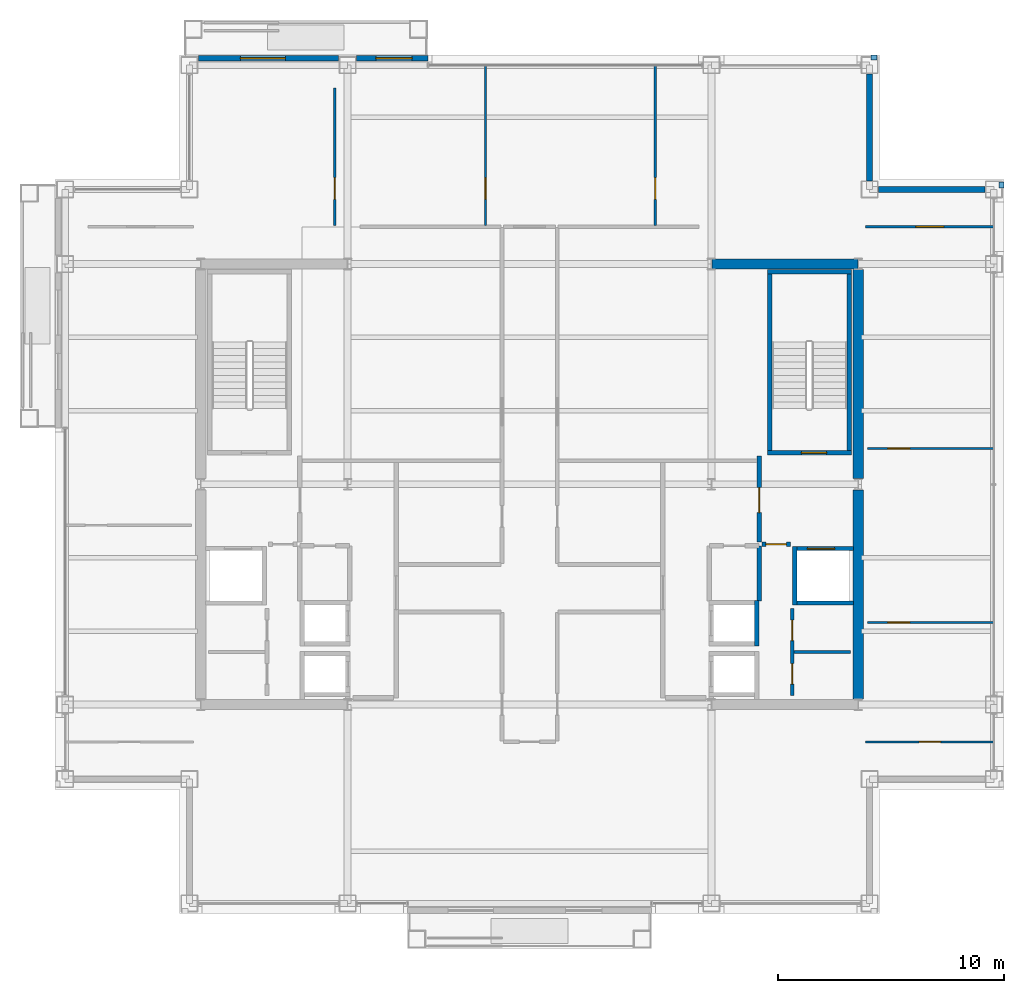
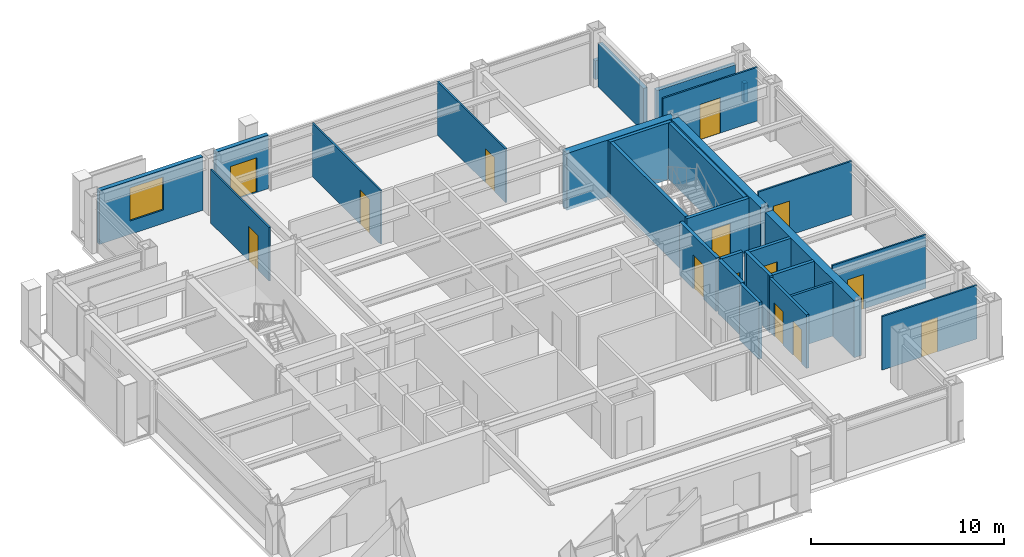
# One storey, part 25 of 28: 29 walls, 14 doors, 1 window, 15 openings.
"""IFC4 building model written with IfcOpenShell, lengths in metres."""

from ifc_helpers import new_model, si_unit, direction, frame, frame_2d, origin, place, context, subcontext, project, spatial, rectangle, extrude, material, layer, layer_set, type_object, element, fill, save


model = new_model("IFC4")

# Units and contexts
model_context = context("Model", 3, precision=1e-05, world=origin(), true_north=direction((0.0, 1.0)))
body_context = subcontext(model_context, "Body", "Model", "MODEL_VIEW")
ifc_project = project(units=[si_unit("LENGTHUNIT", "METRE"), si_unit("AREAUNIT", "SQUARE_METRE"), si_unit("VOLUMEUNIT", "CUBIC_METRE"), si_unit("PLANEANGLEUNIT", "RADIAN"), si_unit("MASSUNIT", "GRAM", prefix="KILO")], contexts=[model_context])

# Site, building, storey
site_placement = place(None, origin())
site = spatial("IfcSite", under=ifc_project, at=site_placement, CompositionType="ELEMENT")
building_placement = place(site_placement, origin())
building = spatial("IfcBuilding", under=site, at=building_placement, Name="Brelmoor Portico Tower", CompositionType="ELEMENT")
storey_placement = place(building_placement, frame((0.0, 0.0, 165.89990234375)))
storey = spatial("IfcBuildingStorey", under=building, at=storey_placement, Name="L43", CompositionType="ELEMENT", Elevation=165.89990234375)

# Walls
ifc_material_1 = material(Name="Concrete C50", Category="concrete")
ifc_layer_1 = layer(ifc_material_1, 0.449951171875)
ifc_layer_set_1 = layer_set([ifc_layer_1], Name="Concrete C50")
wall_type_1 = type_object("IfcWallType", Name="WL-CORE-450", PredefinedType="SHEAR", material=ifc_layer_set_1)
wall_1_placement = place(storey_placement, frame((8.070068359375, 9.75, -0.199951171875), z_axis=(0.0, 0.0, 1.0), x_axis=(1.0, 0.0, 0.0)))
element("IfcWall", 1, at=wall_1_placement, inside=storey, type_object=wall_type_1, Name="L43 EC North Shear Wall", PredefinedType="SHEAR", context=body_context, shape_type="SweptSolid", body=[
    extrude(rectangle(XDim=6.4599609375, YDim=0.449951171875, at=frame_2d((3.22998046875, 0.0))), origin(), (0.0, 0.0, 1.0), 3.60009765625),
])
for number, where, z_axis, x_axis, name in (
    (2, (14.550048828125, -9.5, -0.199951171875), (0.0, 0.0, 1.0), (0.0, 1.0, 0.0), "L43 EC Outer South Shear Wall"),
    (3, (14.550048828125, 0.25, -0.199951171875), (0.0, 0.0, 1.0), (0.0, 1.0, 0.0), "L43 EC Outer North Shear Wall"),
):
    element("IfcWall", number, at=place(storey_placement, frame(where, z_axis=z_axis, x_axis=x_axis)), inside=storey, type_object=wall_type_1, Name=name, PredefinedType="SHEAR", context=body_context, shape_type="SweptSolid", body=[
        extrude(rectangle(XDim=9.25, YDim=0.449951171875, at=frame_2d((4.625, 0.0))), origin(), (0.0, 0.0, 1.0), 3.60009765625),
    ])

# Wall, opening, window
ifc_material_2 = material(Name="Precast Concrete C40 Insulated Facade Wall", Category="concrete")
ifc_layer_2 = layer(ifc_material_2, 0.25)
ifc_layer_set_2 = layer_set([ifc_layer_2], Name="Precast Concrete C40 Insulated Facade Wall")
wall_type_2 = type_object("IfcWallType", Name="WL-EXT-250", PredefinedType="STANDARD", material=ifc_layer_set_2)
wall_2_placement = place(storey_placement, frame((-14.655029296875, 18.860107421875, 0.0), z_axis=(0.0, 0.0, 1.0), x_axis=(1.0, 0.0, 0.0)))
wall_2 = element("IfcWall", 4, at=wall_2_placement, inside=storey, type_object=wall_type_2, Name="L43 Loggia Threshold Wall N-1", PredefinedType="STANDARD", context=body_context, shape_type="SweptSolid", body=[
    extrude(rectangle(XDim=6.2099609375, YDim=0.25, at=frame_2d((3.10498046875, 0.0))), origin(), (0.0, 0.0, 1.0), 3.400146484375),
])
opening_1_placement = place(wall_2_placement, frame((1.85498046875, 0.0, 0.85009765625)))
opening_1 = element("IfcOpeningElement", 5, at=opening_1_placement, cuts=wall_2, Name="Opening W-03", PredefinedType="OPENING", context=body_context, shape_type="SweptSolid", body=[
    extrude(rectangle(XDim=2.0, YDim=2.10009765625, at=frame_2d((1.0, 1.050048828125))), frame((0.0, 0.135009765625, 0.0), z_axis=(0.0, -1.0, 0.0), x_axis=(1.0, 0.0, 0.0)), (0.0, 0.0, 1.0), 0.27001953125),
])
ifc_material_3 = material(Name="Thermally Broken Aluminium Low-E Window", Category="aluminium")
window_type = type_object("IfcWindowType", Name="WN-LOGGIA-2000x2100", PartitioningType="SINGLE_PANEL", PredefinedType="WINDOW", material=ifc_material_3)
window_placement = place(opening_1_placement, origin())
window = element("IfcWindow", 6, at=window_placement, inside=storey, type_object=window_type, Name="L43 Loggia Window N", OverallHeight=2.10009765625, OverallWidth=2.0, PartitioningType="SINGLE_PANEL", PredefinedType="WINDOW", context=body_context, shape_type="SweptSolid", body=[
    extrude(rectangle(XDim=2.0, YDim=2.10009765625, at=frame_2d((1.0, 1.050048828125))), frame((0.0, 0.030029296875, 0.0), z_axis=(0.0, -1.0, 0.0), x_axis=(1.0, 0.0, 0.0)), (0.0, 0.0, 1.0), 0.06005859375),
])
fill(opening_1, window)

# Wall, opening, door
wall_3_placement = place(storey_placement, frame((-7.655029296875, 18.860107421875, 0.0), z_axis=(0.0, 0.0, 1.0), x_axis=(1.0, 0.0, 0.0)))
wall_3 = element("IfcWall", 7, at=wall_3_placement, inside=storey, type_object=wall_type_2, Name="L43 Loggia Threshold Wall N-2", PredefinedType="STANDARD", context=body_context, shape_type="SweptSolid", body=[
    extrude(rectangle(XDim=3.155029296875, YDim=0.25, at=frame_2d((1.57763671875, 0.0))), origin(), (0.0, 0.0, 1.0), 3.400146484375),
])
opening_2_placement = place(wall_3_placement, frame((0.85498046875, 0.0, 0.0)))
opening_2 = element("IfcOpeningElement", 8, at=opening_2_placement, cuts=wall_3, Name="Opening D-TB1", PredefinedType="OPENING", context=body_context, shape_type="SweptSolid", body=[
    extrude(rectangle(XDim=1.60009765625, YDim=2.199951171875, at=frame_2d((0.800048828125, 1.10009765625))), frame((0.0, 0.135009765625, 0.0), z_axis=(0.0, -1.0, 0.0), x_axis=(1.0, 0.0, 0.0)), (0.0, 0.0, 1.0), 0.27001953125),
])
ifc_material_4 = material(Name="Double-Leaf Thermally Broken Terrace Door", Category="aluminium")
door_type_1 = type_object("IfcDoorType", Name="DR-BALCONY-1600", OperationType="NOTDEFINED", PredefinedType="DOOR", material=ifc_material_4)
door_1_placement = place(opening_2_placement, origin())
door_1 = element("IfcDoor", 9, at=door_1_placement, inside=storey, type_object=door_type_1, Name="D-1850 L43 Tree Balcony Double Door N", OperationType="DOUBLE_DOOR_SINGLE_SWING", OverallHeight=2.199951171875, OverallWidth=1.60009765625, PredefinedType="DOOR", context=body_context, shape_type="SweptSolid", body=[
    extrude(rectangle(XDim=1.60009765625, YDim=2.199951171875, at=frame_2d((0.800048828125, 1.10009765625))), frame((0.0, 0.02490234375, 0.0), z_axis=(0.0, -1.0, 0.0), x_axis=(1.0, 0.0, 0.0)), (0.0, 0.0, 1.0), 0.050048828125),
])
fill(opening_2, door_1)

# Walls
for number, where, z_axis, x_axis, name in (
    (10, (15.43505859375, 13.050048828125, 0.0), (0.0, 0.0, 1.0), (1.0, 0.0, 0.0), "L43 Corner Notch Facade Wall NNEH1"),
    (11, (15.050048828125, 13.43505859375, 0.0), (0.0, 0.0, 1.0), (0.0, 1.0, 0.0), "L43 Corner Notch Facade Wall NNEV1"),
):
    element("IfcWall", number, at=place(storey_placement, frame(where, z_axis=z_axis, x_axis=x_axis)), inside=storey, type_object=wall_type_2, Name=name, PredefinedType="STANDARD", context=body_context, shape_type="SweptSolid", body=[
        extrude(rectangle(XDim=4.72998046875, YDim=0.25, at=frame_2d((2.364990234375, 0.0))), origin(), (0.0, 0.0, 1.0), 2.75),
    ])
ifc_material_5 = material(Name="Concrete C40 Parapet Upstand", Category="concrete")
ifc_layer_3 = layer(ifc_material_5, 0.219970703125)
ifc_layer_set_3 = layer_set([ifc_layer_3], Name="Concrete C40 Parapet Upstand")
wall_type_3 = type_object("IfcWallType", Name="WL-PARAPET-220", PredefinedType="PARAPET", material=ifc_layer_set_3)
for number, where, z_axis, x_axis, name in (
    (12, (15.1201171875, 18.889892578125, 0.0), (0.0, 0.0, 1.0), (1.0, 0.0, 0.0), "L43 Chamfer Vertex Parapet Pier NE1"),
    (13, (20.889892578125, 13.1201171875, 0.0), (0.0, 0.0, 1.0), (0.0, 1.0, 0.0), "L43 Chamfer Vertex Parapet Pier NE2"),
):
    element("IfcWall", number, at=place(storey_placement, frame(where, z_axis=z_axis, x_axis=x_axis)), inside=storey, type_object=wall_type_3, Name=name, PredefinedType="PARAPET", context=body_context, shape_type="SweptSolid", body=[
        extrude(rectangle(XDim=0.269775390625, YDim=0.219970703125, at=frame_2d((0.134765625, 0.0))), origin(), (0.0, 0.0, 1.0), 1.2001953125),
    ])

# Wall, opening, door
ifc_material_6 = material(Name="Demountable Glazed Office Partition", Category="aluminium")
ifc_layer_4 = layer(ifc_material_6, 0.10009765625)
ifc_layer_set_4 = layer_set([ifc_layer_4], Name="Demountable Glazed Office Partition")
wall_type_4 = type_object("IfcWallType", Name="WL-PART-100", PredefinedType="PARTITIONING", material=ifc_layer_set_4)
wall_4_placement = place(storey_placement, frame((-8.624267578125, 11.4599609375, 0.0), z_axis=(0.0, 0.0, 1.0), x_axis=(0.0, 1.0, 0.0)))
wall_4 = element("IfcWall", 14, at=wall_4_placement, inside=storey, type_object=wall_type_4, Name="L43 North Suite Partition 1", PredefinedType="PARTITIONING", context=body_context, shape_type="SweptSolid", body=[
    extrude(rectangle(XDim=6.090087890625, YDim=0.10009765625, at=frame_2d((3.044921875, 0.0))), origin(), (0.0, 0.0, 1.0), 3.400146484375),
])
opening_3_placement = place(wall_4_placement, frame((1.14990234375, 0.0, 0.0)))
opening_3 = element("IfcOpeningElement", 15, at=opening_3_placement, cuts=wall_4, Name="Opening D-IN2", PredefinedType="OPENING", context=body_context, shape_type="SweptSolid", body=[
    extrude(rectangle(XDim=0.9599609375, YDim=2.179931640625, at=frame_2d((0.47998046875, 1.08984375))), frame((0.0, 0.06005859375, 0.0), z_axis=(0.0, -1.0, 0.0), x_axis=(1.0, 0.0, 0.0)), (0.0, 0.0, 1.0), 0.1201171875),
])
ifc_material_7 = material(Name="Lacquered Timber Suite Door", Category="wood")
door_type_2 = type_object("IfcDoorType", Name="DR-INT-950", OperationType="NOTDEFINED", PredefinedType="DOOR", material=ifc_material_7)
door_2_placement = place(opening_3_placement, origin())
door_2 = element("IfcDoor", 16, at=door_2_placement, inside=storey, type_object=door_type_2, Name="D-1840 L43 North Suite Connecting Door 1", OperationType="SINGLE_SWING_LEFT", OverallHeight=2.179931640625, OverallWidth=0.9599609375, PredefinedType="DOOR", context=body_context, shape_type="SweptSolid", body=[
    extrude(rectangle(XDim=0.9599609375, YDim=2.179931640625, at=frame_2d((0.47998046875, 1.08984375))), frame((0.0, 0.02490234375, 0.0), z_axis=(0.0, -1.0, 0.0), x_axis=(1.0, 0.0, 0.0)), (0.0, 0.0, 1.0), 0.050048828125),
])
fill(opening_3, door_2)

wall_5_placement = place(storey_placement, frame((-1.947509765625, 11.4599609375, 0.0), z_axis=(0.0, 0.0, 1.0), x_axis=(0.0, 1.0, 0.0)))
wall_5 = element("IfcWall", 17, at=wall_5_placement, inside=storey, type_object=wall_type_4, Name="L43 North Suite Partition 2", PredefinedType="PARTITIONING", context=body_context, shape_type="SweptSolid", body=[
    extrude(rectangle(XDim=7.10009765625, YDim=0.10009765625, at=frame_2d((3.550048828125, 0.0))), origin(), (0.0, 0.0, 1.0), 3.400146484375),
])
opening_4_placement = place(wall_5_placement, frame((1.14990234375, 0.0, 0.0)))
opening_4 = element("IfcOpeningElement", 18, at=opening_4_placement, cuts=wall_5, Name="Opening D-IN2", PredefinedType="OPENING", context=body_context, shape_type="SweptSolid", body=[
    extrude(rectangle(XDim=0.9599609375, YDim=2.179931640625, at=frame_2d((0.47998046875, 1.08984375))), frame((0.0, 0.06005859375, 0.0), z_axis=(0.0, -1.0, 0.0), x_axis=(1.0, 0.0, 0.0)), (0.0, 0.0, 1.0), 0.1201171875),
])
door_3_placement = place(opening_4_placement, origin())
door_3 = element("IfcDoor", 19, at=door_3_placement, inside=storey, type_object=door_type_2, Name="D-1841 L43 North Suite Connecting Door 2", OperationType="SINGLE_SWING_RIGHT", OverallHeight=2.179931640625, OverallWidth=0.9599609375, PredefinedType="DOOR", context=body_context, shape_type="SweptSolid", body=[
    extrude(rectangle(XDim=0.9599609375, YDim=2.179931640625, at=frame_2d((0.47998046875, 1.08984375))), frame((0.0, 0.02490234375, 0.0), z_axis=(0.0, -1.0, 0.0), x_axis=(1.0, 0.0, 0.0)), (0.0, 0.0, 1.0), 0.050048828125),
])
fill(opening_4, door_3)

wall_6_placement = place(storey_placement, frame((5.56396484375, 11.4599609375, 0.0), z_axis=(0.0, 0.0, 1.0), x_axis=(0.0, 1.0, 0.0)))
wall_6 = element("IfcWall", 20, at=wall_6_placement, inside=storey, type_object=wall_type_4, Name="L43 North Suite Partition 3", PredefinedType="PARTITIONING", context=body_context, shape_type="SweptSolid", body=[
    extrude(rectangle(XDim=7.10009765625, YDim=0.10009765625, at=frame_2d((3.550048828125, 0.0))), origin(), (0.0, 0.0, 1.0), 3.400146484375),
])
opening_5_placement = place(wall_6_placement, frame((1.14990234375, 0.0, 0.0)))
opening_5 = element("IfcOpeningElement", 21, at=opening_5_placement, cuts=wall_6, Name="Opening D-IN2", PredefinedType="OPENING", context=body_context, shape_type="SweptSolid", body=[
    extrude(rectangle(XDim=0.9599609375, YDim=2.179931640625, at=frame_2d((0.47998046875, 1.08984375))), frame((0.0, 0.06005859375, 0.0), z_axis=(0.0, -1.0, 0.0), x_axis=(1.0, 0.0, 0.0)), (0.0, 0.0, 1.0), 0.1201171875),
])
door_4_placement = place(opening_5_placement, origin())
door_4 = element("IfcDoor", 22, at=door_4_placement, inside=storey, type_object=door_type_2, Name="D-1842 L43 North Suite Connecting Door 3", OperationType="SINGLE_SWING_LEFT", OverallHeight=2.179931640625, OverallWidth=0.9599609375, PredefinedType="DOOR", context=body_context, shape_type="SweptSolid", body=[
    extrude(rectangle(XDim=0.9599609375, YDim=2.179931640625, at=frame_2d((0.47998046875, 1.08984375))), frame((0.0, 0.02490234375, 0.0), z_axis=(0.0, -1.0, 0.0), x_axis=(1.0, 0.0, 0.0)), (0.0, 0.0, 1.0), 0.050048828125),
])
fill(opening_5, door_4)

wall_7_placement = place(storey_placement, frame((14.8798828125, 11.39990234375, 0.0), z_axis=(0.0, 0.0, 1.0), x_axis=(1.0, 0.0, 0.0)))
wall_7 = element("IfcWall", 23, at=wall_7_placement, inside=storey, type_object=wall_type_4, Name="L43 North Wing Suite Wall ER", PredefinedType="PARTITIONING", context=body_context, shape_type="SweptSolid", body=[
    extrude(rectangle(XDim=5.68017578125, YDim=0.10009765625, at=frame_2d((2.840087890625, 0.0))), origin(), (0.0, 0.0, 1.0), 3.400146484375),
])
opening_6_placement = place(wall_7_placement, frame((2.219970703125, 0.0, 0.0)))
opening_6 = element("IfcOpeningElement", 24, at=opening_6_placement, cuts=wall_7, Name="Opening D-SU1", PredefinedType="OPENING", context=body_context, shape_type="SweptSolid", body=[
    extrude(rectangle(XDim=1.239990234375, YDim=2.239990234375, at=frame_2d((0.6201171875, 1.1201171875))), frame((0.0, 0.06005859375, 0.0), z_axis=(0.0, -1.0, 0.0), x_axis=(1.0, 0.0, 0.0)), (0.0, 0.0, 1.0), 0.1201171875),
])
ifc_material_8 = material(Name="Glazed Timber Executive Suite Door", Category="wood")
door_type_3 = type_object("IfcDoorType", Name="DR-SUITE-1200", OperationType="NOTDEFINED", PredefinedType="DOOR", material=ifc_material_8)
door_5_placement = place(opening_6_placement, origin())
door_5 = element("IfcDoor", 25, at=door_5_placement, inside=storey, type_object=door_type_3, Name="D-1843 L43 ER Wing Suite Connecting Door", OperationType="SINGLE_SWING_LEFT", OverallHeight=2.239990234375, OverallWidth=1.239990234375, PredefinedType="DOOR", context=body_context, shape_type="SweptSolid", body=[
    extrude(rectangle(XDim=1.239990234375, YDim=2.239990234375, at=frame_2d((0.6201171875, 1.1201171875))), frame((0.0, 0.02490234375, 0.0), z_axis=(0.0, -1.0, 0.0), x_axis=(1.0, 0.0, 0.0)), (0.0, 0.0, 1.0), 0.050048828125),
])
fill(opening_6, door_5)

wall_8_placement = place(storey_placement, frame((14.8798828125, -11.39990234375, 0.0), z_axis=(0.0, 0.0, 1.0), x_axis=(1.0, 0.0, 0.0)))
wall_8 = element("IfcWall", 26, at=wall_8_placement, inside=storey, type_object=wall_type_4, Name="L43 South Wing Closure ER", PredefinedType="PARTITIONING", context=body_context, shape_type="SweptSolid", body=[
    extrude(rectangle(XDim=5.68017578125, YDim=0.10009765625, at=frame_2d((2.840087890625, 0.0))), origin(), (0.0, 0.0, 1.0), 3.400146484375),
])
opening_7_placement = place(wall_8_placement, frame((2.360107421875, 0.0, 0.0)))
opening_7 = element("IfcOpeningElement", 27, at=opening_7_placement, cuts=wall_8, Name="Opening D-IN2", PredefinedType="OPENING", context=body_context, shape_type="SweptSolid", body=[
    extrude(rectangle(XDim=0.9599609375, YDim=2.179931640625, at=frame_2d((0.47998046875, 1.08984375))), frame((0.0, 0.06005859375, 0.0), z_axis=(0.0, -1.0, 0.0), x_axis=(1.0, 0.0, 0.0)), (0.0, 0.0, 1.0), 0.1201171875),
])
door_6_placement = place(opening_7_placement, origin())
door_6 = element("IfcDoor", 28, at=door_6_placement, inside=storey, type_object=door_type_2, Name="D-1848 L43 ER Wing South Suite Door", OperationType="SINGLE_SWING_RIGHT", OverallHeight=2.179931640625, OverallWidth=0.9599609375, PredefinedType="DOOR", context=body_context, shape_type="SweptSolid", body=[
    extrude(rectangle(XDim=0.9599609375, YDim=2.179931640625, at=frame_2d((0.47998046875, 1.08984375))), frame((0.0, 0.02490234375, 0.0), z_axis=(0.0, -1.0, 0.0), x_axis=(1.0, 0.0, 0.0)), (0.0, 0.0, 1.0), 0.050048828125),
])
fill(opening_7, door_6)

wall_9_placement = place(storey_placement, frame((14.9599609375, -6.11279296875, 0.0), z_axis=(0.0, 0.0, 1.0), x_axis=(1.0, 0.0, 0.0)))
wall_9 = element("IfcWall", 29, at=wall_9_placement, inside=storey, type_object=wall_type_4, Name="L43 E Wing Partition 1", PredefinedType="PARTITIONING", context=body_context, shape_type="SweptSolid", body=[
    extrude(rectangle(XDim=5.60009765625, YDim=0.10009765625, at=frame_2d((2.800048828125, 0.0))), origin(), (0.0, 0.0, 1.0), 3.400146484375),
])
opening_8_placement = place(wall_9_placement, frame((0.89990234375, 0.0, 0.0)))
opening_8 = element("IfcOpeningElement", 30, at=opening_8_placement, cuts=wall_9, Name="Opening D-IN2", PredefinedType="OPENING", context=body_context, shape_type="SweptSolid", body=[
    extrude(rectangle(XDim=0.9599609375, YDim=2.179931640625, at=frame_2d((0.47998046875, 1.08984375))), frame((0.0, 0.06005859375, 0.0), z_axis=(0.0, -1.0, 0.0), x_axis=(1.0, 0.0, 0.0)), (0.0, 0.0, 1.0), 0.1201171875),
])
door_7_placement = place(opening_8_placement, origin())
door_7 = element("IfcDoor", 31, at=door_7_placement, inside=storey, type_object=door_type_2, Name="D-1853 L43 E Wing Suite Connecting Door 1", OperationType="SINGLE_SWING_RIGHT", OverallHeight=2.179931640625, OverallWidth=0.9599609375, PredefinedType="DOOR", context=body_context, shape_type="SweptSolid", body=[
    extrude(rectangle(XDim=0.9599609375, YDim=2.179931640625, at=frame_2d((0.47998046875, 1.08984375))), frame((0.0, 0.02490234375, 0.0), z_axis=(0.0, -1.0, 0.0), x_axis=(1.0, 0.0, 0.0)), (0.0, 0.0, 1.0), 0.050048828125),
])
fill(opening_8, door_7)

wall_10_placement = place(storey_placement, frame((14.9599609375, 1.584716796875, 0.0), z_axis=(0.0, 0.0, 1.0), x_axis=(1.0, 0.0, 0.0)))
wall_10 = element("IfcWall", 32, at=wall_10_placement, inside=storey, type_object=wall_type_4, Name="L43 E Wing Partition 2", PredefinedType="PARTITIONING", context=body_context, shape_type="SweptSolid", body=[
    extrude(rectangle(XDim=5.60009765625, YDim=0.10009765625, at=frame_2d((2.800048828125, 0.0))), origin(), (0.0, 0.0, 1.0), 3.400146484375),
])
opening_9_placement = place(wall_10_placement, frame((0.89990234375, 0.0, 0.0)))
opening_9 = element("IfcOpeningElement", 33, at=opening_9_placement, cuts=wall_10, Name="Opening D-IN2", PredefinedType="OPENING", context=body_context, shape_type="SweptSolid", body=[
    extrude(rectangle(XDim=0.9599609375, YDim=2.179931640625, at=frame_2d((0.47998046875, 1.08984375))), frame((0.0, 0.06005859375, 0.0), z_axis=(0.0, -1.0, 0.0), x_axis=(1.0, 0.0, 0.0)), (0.0, 0.0, 1.0), 0.1201171875),
])
door_8_placement = place(opening_9_placement, origin())
door_8 = element("IfcDoor", 34, at=door_8_placement, inside=storey, type_object=door_type_2, Name="D-1854 L43 E Wing Suite Connecting Door 2", OperationType="SINGLE_SWING_LEFT", OverallHeight=2.179931640625, OverallWidth=0.9599609375, PredefinedType="DOOR", context=body_context, shape_type="SweptSolid", body=[
    extrude(rectangle(XDim=0.9599609375, YDim=2.179931640625, at=frame_2d((0.47998046875, 1.08984375))), frame((0.0, 0.02490234375, 0.0), z_axis=(0.0, -1.0, 0.0), x_axis=(1.0, 0.0, 0.0)), (0.0, 0.0, 1.0), 0.050048828125),
])
fill(opening_9, door_8)

# Wall
ifc_material_9 = material(Name="Insulated Stud Suite Partition", Category="gypsum")
ifc_layer_5 = layer(ifc_material_9, 0.139892578125)
ifc_layer_set_5 = layer_set([ifc_layer_5], Name="Insulated Stud Suite Partition")
wall_type_5 = type_object("IfcWallType", Name="WL-PART-140", PredefinedType="PARTITIONING", material=ifc_layer_set_5)
wall_11_placement = place(storey_placement, frame((11.699951171875, -7.425048828125, 0.0), z_axis=(0.0, 0.0, 1.0), x_axis=(1.0, 0.0, 0.0)))
element("IfcWall", 35, at=wall_11_placement, inside=storey, type_object=wall_type_5, Name="L43 E Core WC Divider 1", PredefinedType="PARTITIONING", context=body_context, shape_type="SweptSolid", body=[
    extrude(rectangle(XDim=2.5, YDim=0.139892578125, at=frame_2d((1.25, 0.0))), origin(), (0.0, 0.0, 1.0), 3.400146484375),
])

# Wall, openings, doors
ifc_material_10 = material(Name="Twin-Frame Acoustic Partition", Category="gypsum")
ifc_layer_6 = layer(ifc_material_10, 0.159912109375)
ifc_layer_set_6 = layer_set([ifc_layer_6], Name="Twin-Frame Acoustic Partition")
wall_type_6 = type_object("IfcWallType", Name="WL-PART-160", PredefinedType="PARTITIONING", material=ifc_layer_set_6)
wall_12_placement = place(storey_placement, frame((11.6201171875, -9.35009765625, 0.0), z_axis=(0.0, 0.0, 1.0), x_axis=(0.0, 1.0, 0.0)))
wall_12 = element("IfcWall", 36, at=wall_12_placement, inside=storey, type_object=wall_type_6, Name="L43 E Core Service Front Wall", PredefinedType="PARTITIONING", context=body_context, shape_type="SweptSolid", body=[
    extrude(rectangle(XDim=3.85009765625, YDim=0.159912109375, at=frame_2d((1.925048828125, 0.0))), origin(), (0.0, 0.0, 1.0), 3.400146484375),
])
opening_10_placement = place(wall_12_placement, frame((0.512451171875, 0.0, 0.0)))
opening_10 = element("IfcOpeningElement", 37, at=opening_10_placement, cuts=wall_12, Name="Opening D-IN1", PredefinedType="OPENING", context=body_context, shape_type="SweptSolid", body=[
    extrude(rectangle(XDim=0.89990234375, YDim=2.14990234375, at=frame_2d((0.449951171875, 1.074951171875))), frame((0.0, 0.08984375, 0.0), z_axis=(0.0, -1.0, 0.0), x_axis=(1.0, 0.0, 0.0)), (0.0, 0.0, 1.0), 0.179931640625),
])
opening_11_placement = place(wall_12_placement, frame((2.4375, 0.0, 0.0)))
opening_11 = element("IfcOpeningElement", 38, at=opening_11_placement, cuts=wall_12, Name="Opening D-IN1", PredefinedType="OPENING", context=body_context, shape_type="SweptSolid", body=[
    extrude(rectangle(XDim=0.89990234375, YDim=2.14990234375, at=frame_2d((0.449951171875, 1.074951171875))), frame((0.0, 0.08984375, 0.0), z_axis=(0.0, -1.0, 0.0), x_axis=(1.0, 0.0, 0.0)), (0.0, 0.0, 1.0), 0.179931640625),
])
door_type_4 = type_object("IfcDoorType", Name="DR-INT-900", OperationType="NOTDEFINED", PredefinedType="DOOR", material=ifc_material_7)
door_9_placement = place(opening_10_placement, origin())
door_9 = element("IfcDoor", 39, at=door_9_placement, inside=storey, type_object=door_type_4, Name="D-1827 L43 E Male WC Door", OperationType="SINGLE_SWING_LEFT", OverallHeight=2.14990234375, OverallWidth=0.89990234375, PredefinedType="DOOR", context=body_context, shape_type="SweptSolid", body=[
    extrude(rectangle(XDim=0.89990234375, YDim=2.14990234375, at=frame_2d((0.449951171875, 1.074951171875))), frame((0.0, 0.02490234375, 0.0), z_axis=(0.0, -1.0, 0.0), x_axis=(1.0, 0.0, 0.0)), (0.0, 0.0, 1.0), 0.050048828125),
])
fill(opening_10, door_9)
door_10_placement = place(opening_11_placement, origin())
door_10 = element("IfcDoor", 40, at=door_10_placement, inside=storey, type_object=door_type_4, Name="D-1828 L43 E Female WC Door", OperationType="SINGLE_SWING_RIGHT", OverallHeight=2.14990234375, OverallWidth=0.89990234375, PredefinedType="DOOR", context=body_context, shape_type="SweptSolid", body=[
    extrude(rectangle(XDim=0.89990234375, YDim=2.14990234375, at=frame_2d((0.449951171875, 1.074951171875))), frame((0.0, 0.02490234375, 0.0), z_axis=(0.0, -1.0, 0.0), x_axis=(1.0, 0.0, 0.0)), (0.0, 0.0, 1.0), 0.050048828125),
])
fill(opening_11, door_10)

# Wall, opening, door
ifc_material_11 = material(Name="Double-Stud Gypsum Fire Partition", Category="gypsum")
ifc_layer_7 = layer(ifc_material_11, 0.199951171875)
ifc_layer_set_7 = layer_set([ifc_layer_7], Name="Double-Stud Gypsum Fire Partition")
wall_type_7 = type_object("IfcWallType", Name="WL-PART-200", PredefinedType="PARTITIONING", material=ifc_layer_set_7)
wall_13_placement = place(storey_placement, frame((10.159912109375, -2.550048828125, 0.0), z_axis=(0.0, 0.0, 1.0), x_axis=(0.0, 1.0, 0.0)))
wall_13 = element("IfcWall", 41, at=wall_13_placement, inside=storey, type_object=wall_type_7, Name="L43 E Firefighting Lobby Wall", PredefinedType="PARTITIONING", context=body_context, shape_type="SweptSolid", body=[
    extrude(rectangle(XDim=3.800048828125, YDim=0.199951171875, at=frame_2d((1.89990234375, 0.0))), origin(), (0.0, 0.0, 1.0), 3.400146484375),
])
opening_12_placement = place(wall_13_placement, frame((1.300048828125, 0.0, 0.0)))
opening_12 = element("IfcOpeningElement", 42, at=opening_12_placement, cuts=wall_13, Name="Opening D-FR1", PredefinedType="OPENING", context=body_context, shape_type="SweptSolid", body=[
    extrude(rectangle(XDim=1.10009765625, YDim=2.14990234375, at=frame_2d((0.550048828125, 1.074951171875))), frame((0.0, 0.10986328125, 0.0), z_axis=(0.0, -1.0, 0.0), x_axis=(1.0, 0.0, 0.0)), (0.0, 0.0, 1.0), 0.219970703125),
])
ifc_material_12 = material(Name="Painted Galvanised Steel Fire Door", Category="steel")
door_type_5 = type_object("IfcDoorType", Name="DR-FIRE-1100", OperationType="NOTDEFINED", PredefinedType="DOOR", material=ifc_material_12)
door_11_placement = place(opening_12_placement, origin())
door_11 = element("IfcDoor", 43, at=door_11_placement, inside=storey, type_object=door_type_5, Name="D-1835 L43 E Firefighting Lobby Door", OperationType="SINGLE_SWING_RIGHT", OverallHeight=2.14990234375, OverallWidth=1.10009765625, PredefinedType="DOOR", context=body_context, shape_type="SweptSolid", body=[
    extrude(rectangle(XDim=1.10009765625, YDim=2.14990234375, at=frame_2d((0.550048828125, 1.074951171875))), frame((0.0, 0.02490234375, 0.0), z_axis=(0.0, -1.0, 0.0), x_axis=(1.0, 0.0, 0.0)), (0.0, 0.0, 1.0), 0.050048828125),
])
fill(opening_12, door_11)

wall_14_placement = place(storey_placement, frame((10.280029296875, -2.64990234375, 0.0), z_axis=(0.0, 0.0, 1.0), x_axis=(1.0, 0.0, 0.0)))
wall_14 = element("IfcWall", 44, at=wall_14_placement, inside=storey, type_object=wall_type_7, Name="L43 E Firefighting Lobby South Wall", PredefinedType="PARTITIONING", context=body_context, shape_type="SweptSolid", body=[
    extrude(rectangle(XDim=1.27001953125, YDim=0.199951171875, at=frame_2d((0.635009765625, 0.0))), origin(), (0.0, 0.0, 1.0), 3.400146484375),
])
opening_13_placement = place(wall_14_placement, frame((0.18505859375, 0.0, 0.0)))
opening_13 = element("IfcOpeningElement", 45, at=opening_13_placement, cuts=wall_14, Name="Opening D-IN1", PredefinedType="OPENING", context=body_context, shape_type="SweptSolid", body=[
    extrude(rectangle(XDim=0.89990234375, YDim=2.14990234375, at=frame_2d((0.449951171875, 1.074951171875))), frame((0.0, 0.10986328125, 0.0), z_axis=(0.0, -1.0, 0.0), x_axis=(1.0, 0.0, 0.0)), (0.0, 0.0, 1.0), 0.219970703125),
])
door_12_placement = place(opening_13_placement, origin())
door_12 = element("IfcDoor", 46, at=door_12_placement, inside=storey, type_object=door_type_4, Name="D-1829 L43 E Core Service Vestibule Door", OperationType="SINGLE_SWING_LEFT", OverallHeight=2.14990234375, OverallWidth=0.89990234375, PredefinedType="DOOR", context=body_context, shape_type="SweptSolid", body=[
    extrude(rectangle(XDim=0.89990234375, YDim=2.14990234375, at=frame_2d((0.449951171875, 1.074951171875))), frame((0.0, 0.02490234375, 0.0), z_axis=(0.0, -1.0, 0.0), x_axis=(1.0, 0.0, 0.0)), (0.0, 0.0, 1.0), 0.050048828125),
])
fill(opening_13, door_12)

# Walls
wall_15_placement = place(storey_placement, frame((10.159912109375, -5.159912109375, 0.0), z_axis=(0.0, 0.0, 1.0), x_axis=(0.0, 1.0, 0.0)))
element("IfcWall", 47, at=wall_15_placement, inside=storey, type_object=wall_type_7, Name="L43 E Electrical Switchgear Closet Outer Wall", PredefinedType="PARTITIONING", context=body_context, shape_type="SweptSolid", body=[
    extrude(rectangle(XDim=2.43994140625, YDim=0.199951171875, at=frame_2d((1.219970703125, 0.0))), origin(), (0.0, 0.0, 1.0), 3.400146484375),
])
ifc_material_13 = material(Name="Precast Concrete C40", Category="concrete")
ifc_layer_8 = layer(ifc_material_13, 0.18994140625)
ifc_layer_set_8 = layer_set([ifc_layer_8], Name="Precast Concrete C40")
wall_type_8 = type_object("IfcWallType", Name="WL-SHAFT-180", PredefinedType="SOLIDWALL", material=ifc_layer_set_8)
wall_16_placement = place(storey_placement, frame((10.054931640625, -7.14990234375, -0.199951171875), z_axis=(0.0, 0.0, 1.0), x_axis=(0.0, 1.0, 0.0)))
element("IfcWall", 48, at=wall_16_placement, inside=storey, type_object=wall_type_8, Name="L43 Lift PH4 Hoistway Back Wall", PredefinedType="SOLIDWALL", context=body_context, shape_type="SweptSolid", body=[
    extrude(rectangle(XDim=2.0, YDim=0.18994140625, at=frame_2d((1.0, 0.0))), origin(), (0.0, 0.0, 1.0), 3.60009765625),
])

# Wall, opening, door
wall_17_placement = place(storey_placement, frame((11.64990234375, -2.844970703125, -0.199951171875), z_axis=(0.0, 0.0, 1.0), x_axis=(1.0, 0.0, 0.0)))
wall_17 = element("IfcWall", 49, at=wall_17_placement, inside=storey, type_object=wall_type_8, Name="L43 Lift FF2 Hoistway Front Wall", PredefinedType="SOLIDWALL", context=body_context, shape_type="SweptSolid", body=[
    extrude(rectangle(XDim=2.68017578125, YDim=0.18994140625, at=frame_2d((1.340087890625, 0.0))), origin(), (0.0, 0.0, 1.0), 3.60009765625),
])
opening_14_placement = place(wall_17_placement, frame((0.64990234375, 0.0, 0.199951171875)))
opening_14 = element("IfcOpeningElement", 50, at=opening_14_placement, cuts=wall_17, Name="Opening LD-02", PredefinedType="OPENING", context=body_context, shape_type="SweptSolid", body=[
    extrude(rectangle(XDim=1.199951171875, YDim=2.199951171875, at=frame_2d((0.60009765625, 1.10009765625))), frame((0.0, 0.10498046875, 0.0), z_axis=(0.0, -1.0, 0.0), x_axis=(1.0, 0.0, 0.0)), (0.0, 0.0, 1.0), 0.2099609375),
])
ifc_material_14 = material(Name="Brushed Stainless Steel Firefighting Lift Door", Category="steel")
door_type_6 = type_object("IfcDoorType", Name="DR-LIFT-1200", OperationType="NOTDEFINED", PredefinedType="DOOR", material=ifc_material_14)
door_13_placement = place(opening_14_placement, origin())
door_13 = element("IfcDoor", 51, at=door_13_placement, inside=storey, type_object=door_type_6, Name="D-1857 L43 Lift FF2 Sliding Landing Door", OperationType="SLIDING_TO_LEFT", OverallHeight=2.199951171875, OverallWidth=1.199951171875, PredefinedType="DOOR", context=body_context, shape_type="SweptSolid", body=[
    extrude(rectangle(XDim=1.199951171875, YDim=2.199951171875, at=frame_2d((0.60009765625, 1.10009765625))), frame((0.0, 0.02490234375, 0.0), z_axis=(0.0, -1.0, 0.0), x_axis=(1.0, 0.0, 0.0)), (0.0, 0.0, 1.0), 0.050048828125),
])
fill(opening_14, door_13)

# Walls
wall_18_placement = place(storey_placement, frame((11.64990234375, -5.2548828125, -0.199951171875), z_axis=(0.0, 0.0, 1.0), x_axis=(1.0, 0.0, 0.0)))
element("IfcWall", 52, at=wall_18_placement, inside=storey, type_object=wall_type_8, Name="L43 Firefighting Lift FF2 South Wall", PredefinedType="SOLIDWALL", context=body_context, shape_type="SweptSolid", body=[
    extrude(rectangle(XDim=2.68017578125, YDim=0.18994140625, at=frame_2d((1.340087890625, 0.0))), origin(), (0.0, 0.0, 1.0), 3.60009765625),
])
wall_19_placement = place(storey_placement, frame((11.7451171875, -5.35009765625, -0.199951171875), z_axis=(0.0, 0.0, 1.0), x_axis=(0.0, 1.0, 0.0)))
element("IfcWall", 53, at=wall_19_placement, inside=storey, type_object=wall_type_8, Name="L43 Firefighting Lift FF2 Inner Wall", PredefinedType="SOLIDWALL", context=body_context, shape_type="SweptSolid", body=[
    extrude(rectangle(XDim=2.60009765625, YDim=0.18994140625, at=frame_2d((1.300048828125, 0.0))), origin(), (0.0, 0.0, 1.0), 3.60009765625),
])
ifc_material_15 = material(Name="Concrete C40", Category="concrete")
ifc_layer_9 = layer(ifc_material_15, 0.199951171875)
ifc_layer_set_9 = layer_set([ifc_layer_9], Name="Concrete C40")
wall_type_9 = type_object("IfcWallType", Name="WL-SHAFT-RC200", PredefinedType="SOLIDWALL", material=ifc_layer_set_9)
wall_20_placement = place(storey_placement, frame((14.14990234375, 1.5, -0.199951171875), z_axis=(0.0, 0.0, 1.0), x_axis=(0.0, 1.0, 0.0)))
element("IfcWall", 54, at=wall_20_placement, inside=storey, type_object=wall_type_9, Name="L43 ST-E Structural Stair Wall Outer", PredefinedType="SOLIDWALL", context=body_context, shape_type="SweptSolid", body=[
    extrude(rectangle(XDim=7.800048828125, YDim=0.199951171875, at=frame_2d((3.89990234375, 0.0))), origin(), (0.0, 0.0, 1.0), 3.60009765625),
])

# Wall, opening, door
wall_21_placement = place(storey_placement, frame((10.530029296875, 1.39990234375, -0.199951171875), z_axis=(0.0, 0.0, 1.0), x_axis=(1.0, 0.0, 0.0)))
wall_21 = element("IfcWall", 55, at=wall_21_placement, inside=storey, type_object=wall_type_9, Name="L43 ST-E Structural Stair Wall S", PredefinedType="SOLIDWALL", context=body_context, shape_type="SweptSolid", body=[
    extrude(rectangle(XDim=3.719970703125, YDim=0.199951171875, at=frame_2d((1.85986328125, 0.0))), origin(), (0.0, 0.0, 1.0), 3.60009765625),
])
opening_15_placement = place(wall_21_placement, frame((1.5, 0.0, 0.199951171875)))
opening_15 = element("IfcOpeningElement", 56, at=opening_15_placement, cuts=wall_21, Name="Opening D-ST1", PredefinedType="OPENING", context=body_context, shape_type="SweptSolid", body=[
    extrude(rectangle(XDim=1.1201171875, YDim=2.179931640625, at=frame_2d((0.56005859375, 1.08984375))), frame((0.0, 0.10986328125, 0.0), z_axis=(0.0, -1.0, 0.0), x_axis=(1.0, 0.0, 0.0)), (0.0, 0.0, 1.0), 0.219970703125),
])
door_type_7 = type_object("IfcDoorType", Name="DR-STAIR-1100", OperationType="NOTDEFINED", PredefinedType="DOOR", material=ifc_material_12)
door_14_placement = place(opening_15_placement, origin())
door_14 = element("IfcDoor", 57, at=door_14_placement, inside=storey, type_object=door_type_7, Name="D-1846 L43 ST-E Protected Exit Stair Door", OperationType="SINGLE_SWING_RIGHT", OverallHeight=2.179931640625, OverallWidth=1.1201171875, PredefinedType="DOOR", context=body_context, shape_type="SweptSolid", body=[
    extrude(rectangle(XDim=1.1201171875, YDim=2.179931640625, at=frame_2d((0.56005859375, 1.08984375))), frame((0.0, 0.02490234375, 0.0), z_axis=(0.0, -1.0, 0.0), x_axis=(1.0, 0.0, 0.0)), (0.0, 0.0, 1.0), 0.050048828125),
])
fill(opening_15, door_14)

# Walls
wall_22_placement = place(storey_placement, frame((10.530029296875, 9.39990234375, -0.199951171875), z_axis=(0.0, 0.0, 1.0), x_axis=(1.0, 0.0, 0.0)))
element("IfcWall", 58, at=wall_22_placement, inside=storey, type_object=wall_type_9, Name="L43 ST-E Structural Stair Wall N", PredefinedType="SOLIDWALL", context=body_context, shape_type="SweptSolid", body=[
    extrude(rectangle(XDim=3.719970703125, YDim=0.199951171875, at=frame_2d((1.85986328125, 0.0))), origin(), (0.0, 0.0, 1.0), 3.60009765625),
])
wall_23_placement = place(storey_placement, frame((10.6298828125, 1.5, -0.199951171875), z_axis=(0.0, 0.0, 1.0), x_axis=(0.0, 1.0, 0.0)))
element("IfcWall", 59, at=wall_23_placement, inside=storey, type_object=wall_type_9, Name="L43 ST-E Structural Stair Wall Inner", PredefinedType="SOLIDWALL", context=body_context, shape_type="SweptSolid", body=[
    extrude(rectangle(XDim=7.800048828125, YDim=0.199951171875, at=frame_2d((3.89990234375, 0.0))), origin(), (0.0, 0.0, 1.0), 3.60009765625),
])

save(model, "model.ifc")
